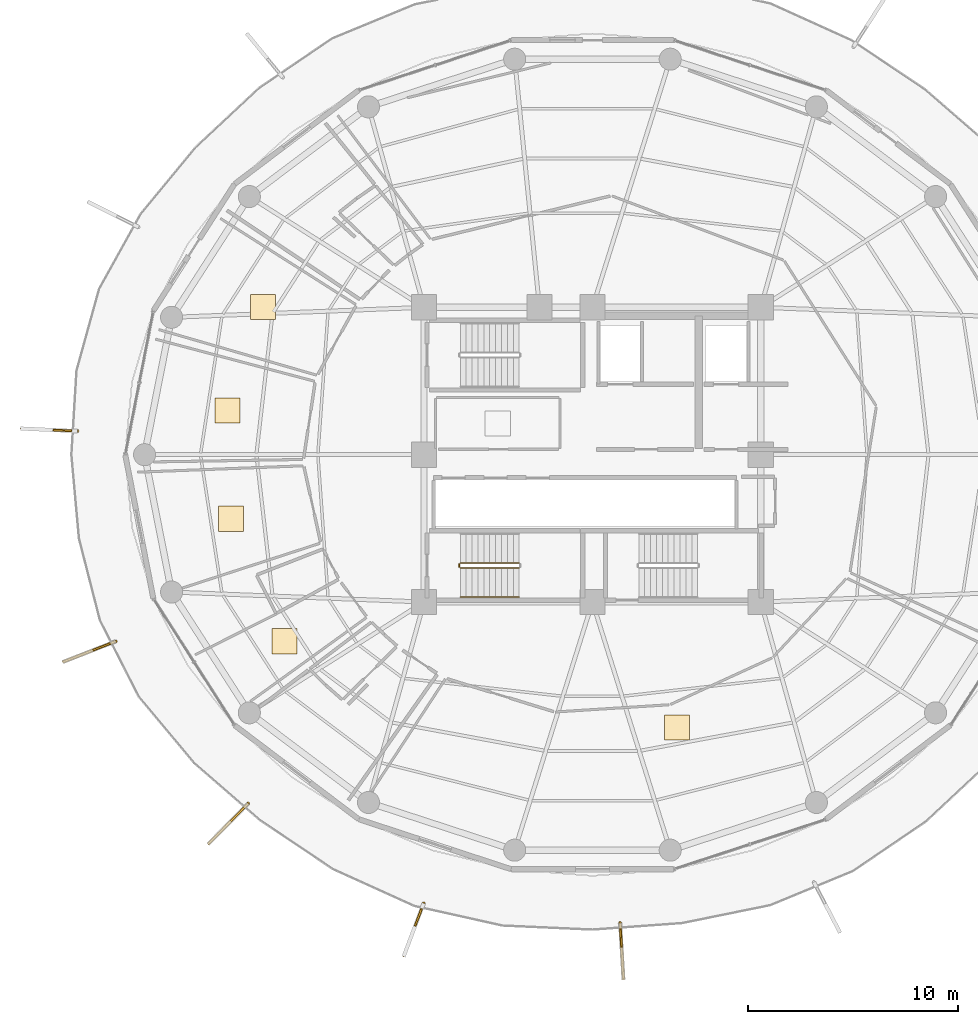
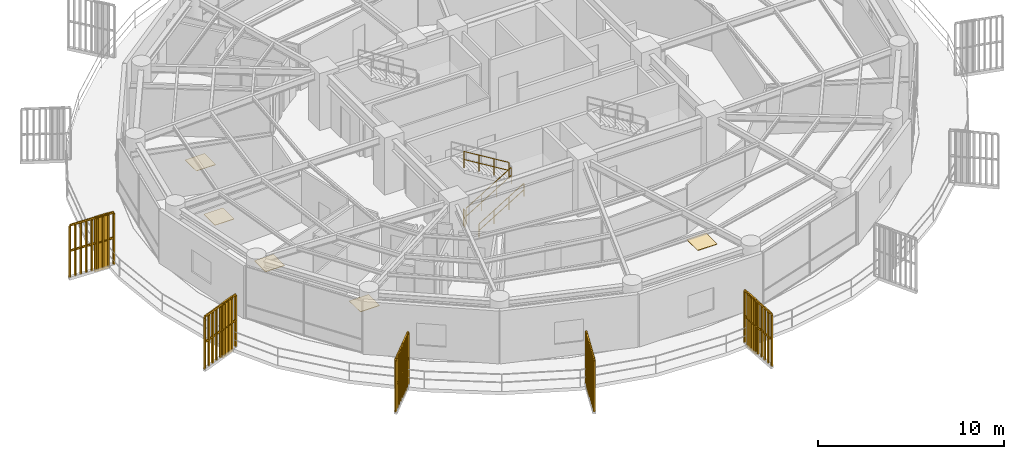
# One storey, part 27 of 30: 9 railings, 5 coverings, 5 shading devices.
"""IFC4 building model written with IfcOpenShell, lengths in metres."""

from ifc_helpers import new_model, si_unit, direction, frame, origin, origin_2d, place, context, subcontext, project, spatial, polyline, rectangle, outline, extrude, source, transform, mapped, material, layer, layer_set, type_object, element, save


model = new_model("IFC4")

# Units and contexts
model_context = context("Model", 3, precision=1e-05, world=origin(), true_north=direction((0.0, 1.0)))
body_context = subcontext(model_context, "Body", "Model", "MODEL_VIEW")
ifc_project = project(units=[si_unit("LENGTHUNIT", "METRE"), si_unit("AREAUNIT", "SQUARE_METRE"), si_unit("VOLUMEUNIT", "CUBIC_METRE"), si_unit("PLANEANGLEUNIT", "RADIAN"), si_unit("MASSUNIT", "GRAM", prefix="KILO")], contexts=[model_context])

# Site, building, storey
site_placement = place(None, origin())
site = spatial("IfcSite", under=ifc_project, at=site_placement, CompositionType="ELEMENT")
building_placement = place(site_placement, origin())
building = spatial("IfcBuilding", under=site, at=building_placement, Name="Kelanora Arch Commons", CompositionType="ELEMENT")
storey_placement = place(building_placement, frame((0.0, 0.0, 208.199951171875)))
storey = spatial("IfcBuildingStorey", under=building, at=storey_placement, Name="L53", CompositionType="ELEMENT", Elevation=208.199951171875)

# Railings
ifc_material_1 = material(Name="Anodised bronze vertical shading fin rib assembly")
railing_type_1 = type_object("IfcRailingType", Name="RAIL-FIN-BRZ", PredefinedType="BALUSTRADE", material=ifc_material_1)
railing_1_placement = place(storey_placement, frame((49.5302734375, 59.11962890625, -0.02001953125)))
element("IfcRailing", 1, at=railing_1_placement, inside=storey, type_object=railing_type_1, Name="Sweeping Bronze Vertical Fin Blade L53-09", PredefinedType="BALUSTRADE", context=body_context, shape_type="SweptSolid", body=[
    extrude(outline(polyline([(0.06982421875, 0.0), (0.034912109375, 0.060546875), (-0.034912109375, 0.060546875), (-0.06982421875, 0.0), (-0.034912109375, -0.060546875), (0.034912109375, -0.060546875), (0.06982421875, 0.0)])), frame((0.0, 0.0, 3.419921875), z_axis=(-0.998951954005, 0.045771099948, 0.0), x_axis=(-0.045771099948, -0.998951954005, 0.0)), (0.0, 0.0, 1.0), 2.65087890625),
    extrude(outline(polyline([(0.06982421875, 0.0), (0.034912109375, 0.060546875), (-0.034912109375, 0.060546875), (-0.06982421875, 0.0), (-0.034912109375, -0.060546875), (0.034912109375, -0.060546875), (0.06982421875, 0.0)])), frame((0.0, 0.0, 1.7451171875), z_axis=(-0.998951954005, 0.045771099948, 0.0), x_axis=(-0.045771099948, -0.998951954005, 0.0)), (0.0, 0.0, 1.0), 2.65087890625),
    extrude(outline(polyline([(0.080078125, 0.0), (0.0400390625, 0.0693359375), (-0.0400390625, 0.0693359375), (-0.080078125, 0.0), (-0.0400390625, -0.0693359375), (0.0400390625, -0.0693359375), (0.080078125, 0.0)])), origin(), (0.0, 0.0, 1.0), 3.35009765625),
    extrude(outline(polyline([(0.080078125, 0.0), (0.0400390625, 0.0693359375), (-0.0400390625, 0.0693359375), (-0.080078125, 0.0), (-0.0400390625, -0.0693359375), (0.0400390625, -0.0693359375), (0.080078125, 0.0)])), frame((-0.3310546875, 0.01513671875, 0.0)), (0.0, 0.0, 1.0), 3.35009765625),
    extrude(outline(polyline([(0.080078125, 0.0), (0.0400390625, 0.0693359375), (-0.0400390625, 0.0693359375), (-0.080078125, 0.0), (-0.0400390625, -0.0693359375), (0.0400390625, -0.0693359375), (0.080078125, 0.0)])), frame((-0.662109375, 0.0302734375, 0.0)), (0.0, 0.0, 1.0), 3.35009765625),
    extrude(outline(polyline([(0.080078125, 0.0), (0.0400390625, 0.0693359375), (-0.0400390625, 0.0693359375), (-0.080078125, 0.0), (-0.0400390625, -0.0693359375), (0.0400390625, -0.0693359375), (0.080078125, 0.0)])), frame((-0.9931640625, 0.04541015625, 0.0)), (0.0, 0.0, 1.0), 3.35009765625),
    extrude(outline(polyline([(0.080078125, 0.0), (0.0400390625, 0.0693359375), (-0.0400390625, 0.0693359375), (-0.080078125, 0.0), (-0.0400390625, -0.0693359375), (0.0400390625, -0.0693359375), (0.080078125, 0.0)])), frame((-1.32421875, 0.060546875, 0.0)), (0.0, 0.0, 1.0), 3.35009765625),
    extrude(outline(polyline([(0.080078125, 0.0), (0.0400390625, 0.0693359375), (-0.0400390625, 0.0693359375), (-0.080078125, 0.0), (-0.0400390625, -0.0693359375), (0.0400390625, -0.0693359375), (0.080078125, 0.0)])), frame((-1.655029296875, 0.075927734375, 0.0)), (0.0, 0.0, 1.0), 3.35009765625),
    extrude(outline(polyline([(0.080078125, 0.0), (0.0400390625, 0.0693359375), (-0.0400390625, 0.0693359375), (-0.080078125, 0.0), (-0.0400390625, -0.0693359375), (0.0400390625, -0.0693359375), (0.080078125, 0.0)])), frame((-1.986083984375, 0.091064453125, 0.0)), (0.0, 0.0, 1.0), 3.35009765625),
    extrude(outline(polyline([(0.080078125, 0.0), (0.0400390625, 0.0693359375), (-0.0400390625, 0.0693359375), (-0.080078125, 0.0), (-0.0400390625, -0.0693359375), (0.0400390625, -0.0693359375), (0.080078125, 0.0)])), frame((-2.317138671875, 0.106201171875, 0.0)), (0.0, 0.0, 1.0), 3.35009765625),
    extrude(outline(polyline([(0.080078125, 0.0), (0.0400390625, 0.0693359375), (-0.0400390625, 0.0693359375), (-0.080078125, 0.0), (-0.0400390625, -0.0693359375), (0.0400390625, -0.0693359375), (0.080078125, 0.0)])), frame((-2.648193359375, 0.121337890625, 0.0)), (0.0, 0.0, 1.0), 3.35009765625),
])
railing_2_placement = place(storey_placement, frame((51.353515625, 49.134033203125, -0.02001953125)))
element("IfcRailing", 2, at=railing_2_placement, inside=storey, type_object=railing_type_1, Name="Sweeping Bronze Vertical Fin Blade L53-10", PredefinedType="BALUSTRADE", context=body_context, shape_type="SweptSolid", body=[
    extrude(outline(polyline([(0.06982421875, 0.0), (0.034912109375, 0.060546875), (-0.034912109375, 0.060546875), (-0.06982421875, 0.0), (-0.034912109375, -0.060546875), (0.034912109375, -0.060546875), (0.06982421875, 0.0)])), frame((0.0, 0.0, 3.419921875), z_axis=(-0.931163949491, -0.364600739396, 0.0), x_axis=(0.364600739396, -0.931163949491, 0.0)), (0.0, 0.0, 1.0), 2.65087890625),
    extrude(outline(polyline([(0.06982421875, 0.0), (0.034912109375, 0.060546875), (-0.034912109375, 0.060546875), (-0.06982421875, 0.0), (-0.034912109375, -0.060546875), (0.034912109375, -0.060546875), (0.06982421875, 0.0)])), frame((0.0, 0.0, 1.7451171875), z_axis=(-0.931163949491, -0.364600739396, 0.0), x_axis=(0.364600739396, -0.931163949491, 0.0)), (0.0, 0.0, 1.0), 2.65087890625),
    extrude(outline(polyline([(0.080078125, 0.0), (0.0400390625, 0.0693359375), (-0.0400390625, 0.0693359375), (-0.080078125, 0.0), (-0.0400390625, -0.0693359375), (0.0400390625, -0.0693359375), (0.080078125, 0.0)])), origin(), (0.0, 0.0, 1.0), 3.35009765625),
    extrude(outline(polyline([(0.080078125, 0.0), (0.0400390625, 0.0693359375), (-0.0400390625, 0.0693359375), (-0.080078125, 0.0), (-0.0400390625, -0.0693359375), (0.0400390625, -0.0693359375), (0.080078125, 0.0)])), frame((-0.30859375, -0.120849609375, 0.0)), (0.0, 0.0, 1.0), 3.35009765625),
    extrude(outline(polyline([(0.080078125, 0.0), (0.0400390625, 0.0693359375), (-0.0400390625, 0.0693359375), (-0.080078125, 0.0), (-0.0400390625, -0.0693359375), (0.0400390625, -0.0693359375), (0.080078125, 0.0)])), frame((-0.6171875, -0.24169921875, 0.0)), (0.0, 0.0, 1.0), 3.35009765625),
    extrude(outline(polyline([(0.080078125, 0.0), (0.0400390625, 0.0693359375), (-0.0400390625, 0.0693359375), (-0.080078125, 0.0), (-0.0400390625, -0.0693359375), (0.0400390625, -0.0693359375), (0.080078125, 0.0)])), frame((-0.92578125, -0.362548828125, 0.0)), (0.0, 0.0, 1.0), 3.35009765625),
    extrude(outline(polyline([(0.080078125, 0.0), (0.0400390625, 0.0693359375), (-0.0400390625, 0.0693359375), (-0.080078125, 0.0), (-0.0400390625, -0.0693359375), (0.0400390625, -0.0693359375), (0.080078125, 0.0)])), frame((-1.234375, -0.4833984375, 0.0)), (0.0, 0.0, 1.0), 3.35009765625),
    extrude(outline(polyline([(0.080078125, 0.0), (0.0400390625, 0.0693359375), (-0.0400390625, 0.0693359375), (-0.080078125, 0.0), (-0.0400390625, -0.0693359375), (0.0400390625, -0.0693359375), (0.080078125, 0.0)])), frame((-1.542724609375, -0.60400390625, 0.0)), (0.0, 0.0, 1.0), 3.35009765625),
    extrude(outline(polyline([(0.080078125, 0.0), (0.0400390625, 0.0693359375), (-0.0400390625, 0.0693359375), (-0.080078125, 0.0), (-0.0400390625, -0.0693359375), (0.0400390625, -0.0693359375), (0.080078125, 0.0)])), frame((-1.851318359375, -0.724853515625, 0.0)), (0.0, 0.0, 1.0), 3.35009765625),
    extrude(outline(polyline([(0.080078125, 0.0), (0.0400390625, 0.0693359375), (-0.0400390625, 0.0693359375), (-0.080078125, 0.0), (-0.0400390625, -0.0693359375), (0.0400390625, -0.0693359375), (0.080078125, 0.0)])), frame((-2.159912109375, -0.845703125, 0.0)), (0.0, 0.0, 1.0), 3.35009765625),
    extrude(outline(polyline([(0.080078125, 0.0), (0.0400390625, 0.0693359375), (-0.0400390625, 0.0693359375), (-0.080078125, 0.0), (-0.0400390625, -0.0693359375), (0.0400390625, -0.0693359375), (0.080078125, 0.0)])), frame((-2.468505859375, -0.966552734375, 0.0)), (0.0, 0.0, 1.0), 3.35009765625),
])
railing_3_placement = place(storey_placement, frame((57.640625, 41.422119140625, -0.02001953125)))
element("IfcRailing", 3, at=railing_3_placement, inside=storey, type_object=railing_type_1, Name="Sweeping Bronze Vertical Fin Blade L53-11", PredefinedType="BALUSTRADE", context=body_context, shape_type="SweptSolid", body=[
    extrude(outline(polyline([(0.06982421875, 0.0), (0.034912109375, 0.060546875), (-0.034912109375, 0.060546875), (-0.06982421875, 0.0), (-0.034912109375, -0.060546875), (0.034912109375, -0.060546875), (0.06982421875, 0.0)])), frame((0.0, 0.0, 3.419921875), z_axis=(-0.702393816288, -0.711788540818, 0.0), x_axis=(0.711788540818, -0.702393816288, 0.0)), (0.0, 0.0, 1.0), 2.650634765625),
    extrude(outline(polyline([(0.06982421875, 0.0), (0.034912109375, 0.060546875), (-0.034912109375, 0.060546875), (-0.06982421875, 0.0), (-0.034912109375, -0.060546875), (0.034912109375, -0.060546875), (0.06982421875, 0.0)])), frame((0.0, 0.0, 1.7451171875), z_axis=(-0.702393816288, -0.711788540818, 0.0), x_axis=(0.711788540818, -0.702393816288, 0.0)), (0.0, 0.0, 1.0), 2.650634765625),
    extrude(outline(polyline([(0.080078125, 0.0), (0.0400390625, 0.0693359375), (-0.0400390625, 0.0693359375), (-0.080078125, 0.0), (-0.0400390625, -0.0693359375), (0.0400390625, -0.0693359375), (0.080078125, 0.0)])), origin(), (0.0, 0.0, 1.0), 3.35009765625),
    extrude(outline(polyline([(0.080078125, 0.0), (0.0400390625, 0.0693359375), (-0.0400390625, 0.0693359375), (-0.080078125, 0.0), (-0.0400390625, -0.0693359375), (0.0400390625, -0.0693359375), (0.080078125, 0.0)])), frame((-0.232666015625, -0.23583984375, 0.0)), (0.0, 0.0, 1.0), 3.35009765625),
    extrude(outline(polyline([(0.080078125, 0.0), (0.0400390625, 0.0693359375), (-0.0400390625, 0.0693359375), (-0.080078125, 0.0), (-0.0400390625, -0.0693359375), (0.0400390625, -0.0693359375), (0.080078125, 0.0)])), frame((-0.46533203125, -0.4716796875, 0.0)), (0.0, 0.0, 1.0), 3.35009765625),
    extrude(outline(polyline([(0.080078125, 0.0), (0.0400390625, 0.0693359375), (-0.0400390625, 0.0693359375), (-0.080078125, 0.0), (-0.0400390625, -0.0693359375), (0.0400390625, -0.0693359375), (0.080078125, 0.0)])), frame((-0.6982421875, -0.70751953125, 0.0)), (0.0, 0.0, 1.0), 3.35009765625),
    extrude(outline(polyline([(0.080078125, 0.0), (0.0400390625, 0.0693359375), (-0.0400390625, 0.0693359375), (-0.080078125, 0.0), (-0.0400390625, -0.0693359375), (0.0400390625, -0.0693359375), (0.080078125, 0.0)])), frame((-0.930908203125, -0.943359375, 0.0)), (0.0, 0.0, 1.0), 3.35009765625),
    extrude(outline(polyline([(0.080078125, 0.0), (0.0400390625, 0.0693359375), (-0.0400390625, 0.0693359375), (-0.080078125, 0.0), (-0.0400390625, -0.0693359375), (0.0400390625, -0.0693359375), (0.080078125, 0.0)])), frame((-1.16357421875, -1.17919921875, 0.0)), (0.0, 0.0, 1.0), 3.35009765625),
    extrude(outline(polyline([(0.080078125, 0.0), (0.0400390625, 0.0693359375), (-0.0400390625, 0.0693359375), (-0.080078125, 0.0), (-0.0400390625, -0.0693359375), (0.0400390625, -0.0693359375), (0.080078125, 0.0)])), frame((-1.396484375, -1.4150390625, 0.0)), (0.0, 0.0, 1.0), 3.35009765625),
    extrude(outline(polyline([(0.080078125, 0.0), (0.0400390625, 0.0693359375), (-0.0400390625, 0.0693359375), (-0.080078125, 0.0), (-0.0400390625, -0.0693359375), (0.0400390625, -0.0693359375), (0.080078125, 0.0)])), frame((-1.629150390625, -1.65087890625, 0.0)), (0.0, 0.0, 1.0), 3.35009765625),
    extrude(outline(polyline([(0.080078125, 0.0), (0.0400390625, 0.0693359375), (-0.0400390625, 0.0693359375), (-0.080078125, 0.0), (-0.0400390625, -0.0693359375), (0.0400390625, -0.0693359375), (0.080078125, 0.0)])), frame((-1.86181640625, -1.88671875, 0.0)), (0.0, 0.0, 1.0), 3.35009765625),
])
railing_4_placement = place(storey_placement, frame((65.981201171875, 36.688720703125, -0.02001953125)))
element("IfcRailing", 4, at=railing_4_placement, inside=storey, type_object=railing_type_1, Name="Sweeping Bronze Vertical Fin Blade L53-12", PredefinedType="BALUSTRADE", context=body_context, shape_type="SweptSolid", body=[
    extrude(outline(polyline([(0.06982421875, 0.0), (0.034912109375, 0.060546875), (-0.034912109375, 0.060546875), (-0.06982421875, 0.0), (-0.034912109375, -0.060546875), (0.034912109375, -0.060546875), (0.06982421875, 0.0)])), frame((0.0, 0.0, 3.419921875), z_axis=(-0.352223455855, -0.935915934871, 0.0), x_axis=(0.935915934871, -0.352223455855, 0.0)), (0.0, 0.0, 1.0), 2.650634765625),
    extrude(outline(polyline([(0.06982421875, 0.0), (0.034912109375, 0.060546875), (-0.034912109375, 0.060546875), (-0.06982421875, 0.0), (-0.034912109375, -0.060546875), (0.034912109375, -0.060546875), (0.06982421875, 0.0)])), frame((0.0, 0.0, 1.7451171875), z_axis=(-0.352223455855, -0.935915934871, 0.0), x_axis=(0.935915934871, -0.352223455855, 0.0)), (0.0, 0.0, 1.0), 2.650634765625),
    extrude(outline(polyline([(0.080078125, 0.0), (0.0400390625, 0.0693359375), (-0.0400390625, 0.0693359375), (-0.080078125, 0.0), (-0.0400390625, -0.0693359375), (0.0400390625, -0.0693359375), (0.080078125, 0.0)])), origin(), (0.0, 0.0, 1.0), 3.35009765625),
    extrude(outline(polyline([(0.080078125, 0.0), (0.0400390625, 0.0693359375), (-0.0400390625, 0.0693359375), (-0.080078125, 0.0), (-0.0400390625, -0.0693359375), (0.0400390625, -0.0693359375), (0.080078125, 0.0)])), frame((-0.11669921875, -0.31005859375, 0.0)), (0.0, 0.0, 1.0), 3.35009765625),
    extrude(outline(polyline([(0.080078125, 0.0), (0.0400390625, 0.0693359375), (-0.0400390625, 0.0693359375), (-0.080078125, 0.0), (-0.0400390625, -0.0693359375), (0.0400390625, -0.0693359375), (0.080078125, 0.0)])), frame((-0.2333984375, -0.6201171875, 0.0)), (0.0, 0.0, 1.0), 3.35009765625),
    extrude(outline(polyline([(0.080078125, 0.0), (0.0400390625, 0.0693359375), (-0.0400390625, 0.0693359375), (-0.080078125, 0.0), (-0.0400390625, -0.0693359375), (0.0400390625, -0.0693359375), (0.080078125, 0.0)])), frame((-0.35009765625, -0.93017578125, 0.0)), (0.0, 0.0, 1.0), 3.35009765625),
    extrude(outline(polyline([(0.080078125, 0.0), (0.0400390625, 0.0693359375), (-0.0400390625, 0.0693359375), (-0.080078125, 0.0), (-0.0400390625, -0.0693359375), (0.0400390625, -0.0693359375), (0.080078125, 0.0)])), frame((-0.466796875, -1.240234375, 0.0)), (0.0, 0.0, 1.0), 3.35009765625),
    extrude(outline(polyline([(0.080078125, 0.0), (0.0400390625, 0.0693359375), (-0.0400390625, 0.0693359375), (-0.080078125, 0.0), (-0.0400390625, -0.0693359375), (0.0400390625, -0.0693359375), (0.080078125, 0.0)])), frame((-0.58349609375, -1.550537109375, 0.0)), (0.0, 0.0, 1.0), 3.35009765625),
    extrude(outline(polyline([(0.080078125, 0.0), (0.0400390625, 0.0693359375), (-0.0400390625, 0.0693359375), (-0.080078125, 0.0), (-0.0400390625, -0.0693359375), (0.0400390625, -0.0693359375), (0.080078125, 0.0)])), frame((-0.7001953125, -1.860595703125, 0.0)), (0.0, 0.0, 1.0), 3.35009765625),
    extrude(outline(polyline([(0.080078125, 0.0), (0.0400390625, 0.0693359375), (-0.0400390625, 0.0693359375), (-0.080078125, 0.0), (-0.0400390625, -0.0693359375), (0.0400390625, -0.0693359375), (0.080078125, 0.0)])), frame((-0.81689453125, -2.170654296875, 0.0)), (0.0, 0.0, 1.0), 3.35009765625),
    extrude(outline(polyline([(0.080078125, 0.0), (0.0400390625, 0.0693359375), (-0.0400390625, 0.0693359375), (-0.080078125, 0.0), (-0.0400390625, -0.0693359375), (0.0400390625, -0.0693359375), (0.080078125, 0.0)])), frame((-0.93359375, -2.480712890625, 0.0)), (0.0, 0.0, 1.0), 3.35009765625),
])
railing_5_placement = place(storey_placement, frame((75.313720703125, 35.757568359375, -0.02001953125)))
element("IfcRailing", 5, at=railing_5_placement, inside=storey, type_object=railing_type_1, Name="Sweeping Bronze Vertical Fin Blade L53-13", PredefinedType="BALUSTRADE", context=body_context, shape_type="SweptSolid", body=[
    extrude(outline(polyline([(0.06982421875, 0.0), (0.034912109375, 0.060546875), (-0.034912109375, 0.060546875), (-0.06982421875, 0.0), (-0.034912109375, -0.060546875), (0.034912109375, -0.060546875), (0.06982421875, 0.0)])), frame((0.0, 0.0, 3.419921875), z_axis=(0.05894337575, -0.998261327737, 0.0), x_axis=(0.998261327737, 0.05894337575, 0.0)), (0.0, 0.0, 1.0), 2.65087890625),
    extrude(outline(polyline([(0.06982421875, 0.0), (0.034912109375, 0.060546875), (-0.034912109375, 0.060546875), (-0.06982421875, 0.0), (-0.034912109375, -0.060546875), (0.034912109375, -0.060546875), (0.06982421875, 0.0)])), frame((0.0, 0.0, 1.7451171875), z_axis=(0.05894337575, -0.998261327737, 0.0), x_axis=(0.998261327737, 0.05894337575, 0.0)), (0.0, 0.0, 1.0), 2.65087890625),
    extrude(outline(polyline([(0.080078125, 0.0), (0.0400390625, 0.0693359375), (-0.0400390625, 0.0693359375), (-0.080078125, 0.0), (-0.0400390625, -0.0693359375), (0.0400390625, -0.0693359375), (0.080078125, 0.0)])), origin(), (0.0, 0.0, 1.0), 3.35009765625),
    extrude(outline(polyline([(0.080078125, 0.0), (0.0400390625, 0.0693359375), (-0.0400390625, 0.0693359375), (-0.080078125, 0.0), (-0.0400390625, -0.0693359375), (0.0400390625, -0.0693359375), (0.080078125, 0.0)])), frame((0.01953125, -0.330810546875, 0.0)), (0.0, 0.0, 1.0), 3.35009765625),
    extrude(outline(polyline([(0.080078125, 0.0), (0.0400390625, 0.0693359375), (-0.0400390625, 0.0693359375), (-0.080078125, 0.0), (-0.0400390625, -0.0693359375), (0.0400390625, -0.0693359375), (0.080078125, 0.0)])), frame((0.0390625, -0.66162109375, 0.0)), (0.0, 0.0, 1.0), 3.35009765625),
    extrude(outline(polyline([(0.080078125, 0.0), (0.0400390625, 0.0693359375), (-0.0400390625, 0.0693359375), (-0.080078125, 0.0), (-0.0400390625, -0.0693359375), (0.0400390625, -0.0693359375), (0.080078125, 0.0)])), frame((0.05859375, -0.992431640625, 0.0)), (0.0, 0.0, 1.0), 3.35009765625),
    extrude(outline(polyline([(0.080078125, 0.0), (0.0400390625, 0.0693359375), (-0.0400390625, 0.0693359375), (-0.080078125, 0.0), (-0.0400390625, -0.0693359375), (0.0400390625, -0.0693359375), (0.080078125, 0.0)])), frame((0.078125, -1.3232421875, 0.0)), (0.0, 0.0, 1.0), 3.35009765625),
    extrude(outline(polyline([(0.080078125, 0.0), (0.0400390625, 0.0693359375), (-0.0400390625, 0.0693359375), (-0.080078125, 0.0), (-0.0400390625, -0.0693359375), (0.0400390625, -0.0693359375), (0.080078125, 0.0)])), frame((0.09765625, -1.65380859375, 0.0)), (0.0, 0.0, 1.0), 3.35009765625),
    extrude(outline(polyline([(0.080078125, 0.0), (0.0400390625, 0.0693359375), (-0.0400390625, 0.0693359375), (-0.080078125, 0.0), (-0.0400390625, -0.0693359375), (0.0400390625, -0.0693359375), (0.080078125, 0.0)])), frame((0.1171875, -1.984619140625, 0.0)), (0.0, 0.0, 1.0), 3.35009765625),
    extrude(outline(polyline([(0.080078125, 0.0), (0.0400390625, 0.0693359375), (-0.0400390625, 0.0693359375), (-0.080078125, 0.0), (-0.0400390625, -0.0693359375), (0.0400390625, -0.0693359375), (0.080078125, 0.0)])), frame((0.13671875, -2.3154296875, 0.0)), (0.0, 0.0, 1.0), 3.35009765625),
    extrude(outline(polyline([(0.080078125, 0.0), (0.0400390625, 0.0693359375), (-0.0400390625, 0.0693359375), (-0.080078125, 0.0), (-0.0400390625, -0.0693359375), (0.0400390625, -0.0693359375), (0.080078125, 0.0)])), frame((0.15625, -2.646240234375, 0.0)), (0.0, 0.0, 1.0), 3.35009765625),
])
ifc_material_2 = material(Name="Painted steel stair well guard", Category="steel")
railing_type_2 = type_object("IfcRailingType", Name="RAIL-STAIR-GRD", PredefinedType="GUARDRAIL", material=ifc_material_2)
railing_6_placement = place(storey_placement, frame((67.719970703125, 52.610107421875, 0.17041015625)))
element("IfcRailing", 6, at=railing_6_placement, inside=storey, type_object=railing_type_2, Name="L53 ST-T3 stair guard 1", PredefinedType="GUARDRAIL", context=body_context, shape_type="SweptSolid", body=[
    extrude(outline(polyline([(0.02392578125, 0.0), (0.011962890625, 0.020751953125), (-0.011962890625, 0.020751953125), (-0.02392578125, 0.0), (-0.011962890625, -0.020751953125), (0.011962890625, -0.020751953125), (0.02392578125, 0.0)])), frame((0.0, 0.0, 1.076171875), z_axis=(0.854169791009, 0.0, 0.51999420009), x_axis=(0.0, 1.0, 0.0)), (0.0, 0.0, 1.0), 3.278076171875),
    extrude(outline(polyline([(0.02392578125, 0.0), (0.011962890625, 0.020751953125), (-0.011962890625, 0.020751953125), (-0.02392578125, 0.0), (-0.011962890625, -0.020751953125), (0.011962890625, -0.020751953125), (0.02392578125, 0.0)])), frame((0.0, 0.0, 0.550048828125), z_axis=(0.854169791009, 0.0, 0.51999420009), x_axis=(0.0, 1.0, 0.0)), (0.0, 0.0, 1.0), 3.278076171875),
    extrude(outline(polyline([(0.02099609375, 0.0), (0.010498046875, 0.01806640625), (-0.010498046875, 0.01806640625), (-0.02099609375, 0.0), (-0.010498046875, -0.01806640625), (0.010498046875, -0.01806640625), (0.02099609375, 0.0)])), origin(), (0.0, 0.0, 1.0), 1.052001953125),
    extrude(outline(polyline([(0.02099609375, 0.0), (0.010498046875, 0.01806640625), (-0.010498046875, 0.01806640625), (-0.02099609375, 0.0), (-0.010498046875, -0.01806640625), (0.010498046875, -0.01806640625), (0.02099609375, 0.0)])), frame((0.933349609375, 0.0, 0.568115234375)), (0.0, 0.0, 1.0), 1.052001953125),
    extrude(outline(polyline([(0.02099609375, 0.0), (0.010498046875, 0.01806640625), (-0.010498046875, 0.01806640625), (-0.02099609375, 0.0), (-0.010498046875, -0.01806640625), (0.010498046875, -0.01806640625), (0.02099609375, 0.0)])), frame((1.86669921875, 0.0, 1.136474609375)), (0.0, 0.0, 1.0), 1.052001953125),
    extrude(outline(polyline([(0.02099609375, 0.0), (0.010498046875, 0.01806640625), (-0.010498046875, 0.01806640625), (-0.02099609375, 0.0), (-0.010498046875, -0.01806640625), (0.010498046875, -0.01806640625), (0.02099609375, 0.0)])), frame((2.800048828125, 0.0, 1.70458984375)), (0.0, 0.0, 1.0), 1.052001953125),
])
railing_7_placement = place(storey_placement, frame((70.52001953125, 52.860107421875, 2.04541015625)))
element("IfcRailing", 7, at=railing_7_placement, inside=storey, type_object=railing_type_2, Name="L53 ST-T3 stair guard 3", PredefinedType="GUARDRAIL", context=body_context, shape_type="SweptSolid", body=[
    extrude(outline(polyline([(0.02392578125, 0.0), (0.011962890625, 0.020751953125), (-0.011962890625, 0.020751953125), (-0.02392578125, 0.0), (-0.011962890625, -0.020751953125), (0.011962890625, -0.020751953125), (0.02392578125, 0.0)])), frame((0.0, 0.0, 1.076171875), z_axis=(-0.854169791009, 0.0, 0.51999420009), x_axis=(0.0, -1.0, 0.0)), (0.0, 0.0, 1.0), 3.278076171875),
    extrude(outline(polyline([(0.02392578125, 0.0), (0.011962890625, 0.020751953125), (-0.011962890625, 0.020751953125), (-0.02392578125, 0.0), (-0.011962890625, -0.020751953125), (0.011962890625, -0.020751953125), (0.02392578125, 0.0)])), frame((0.0, 0.0, 0.550048828125), z_axis=(-0.854169791009, 0.0, 0.51999420009), x_axis=(0.0, -1.0, 0.0)), (0.0, 0.0, 1.0), 3.278076171875),
    extrude(outline(polyline([(0.02099609375, 0.0), (0.010498046875, 0.01806640625), (-0.010498046875, 0.01806640625), (-0.02099609375, 0.0), (-0.010498046875, -0.01806640625), (0.010498046875, -0.01806640625), (0.02099609375, 0.0)])), origin(), (0.0, 0.0, 1.0), 1.052001953125),
    extrude(outline(polyline([(0.02099609375, 0.0), (0.010498046875, 0.01806640625), (-0.010498046875, 0.01806640625), (-0.02099609375, 0.0), (-0.010498046875, -0.01806640625), (0.010498046875, -0.01806640625), (0.02099609375, 0.0)])), frame((-0.933349609375, 0.0, 0.568115234375)), (0.0, 0.0, 1.0), 1.052001953125),
    extrude(outline(polyline([(0.02099609375, 0.0), (0.010498046875, 0.01806640625), (-0.010498046875, 0.01806640625), (-0.02099609375, 0.0), (-0.010498046875, -0.01806640625), (0.010498046875, -0.01806640625), (0.02099609375, 0.0)])), frame((-1.86669921875, 0.0, 1.136474609375)), (0.0, 0.0, 1.0), 1.052001953125),
    extrude(outline(polyline([(0.02099609375, 0.0), (0.010498046875, 0.01806640625), (-0.010498046875, 0.01806640625), (-0.02099609375, 0.0), (-0.010498046875, -0.01806640625), (0.010498046875, -0.01806640625), (0.02099609375, 0.0)])), frame((-2.800048828125, 0.0, 1.70458984375)), (0.0, 0.0, 1.0), 1.052001953125),
])
railing_8_placement = place(storey_placement, frame((67.669921875, 52.659912109375, 0.0)))
element("IfcRailing", 8, at=railing_8_placement, inside=storey, type_object=railing_type_2, Name="L53 ST-T3 stair guard 4", PredefinedType="GUARDRAIL", context=body_context, shape_type="SweptSolid", body=[
    extrude(outline(polyline([(0.02392578125, 0.0), (0.011962890625, 0.020751953125), (-0.011962890625, 0.020751953125), (-0.02392578125, 0.0), (-0.011962890625, -0.020751953125), (0.011962890625, -0.020751953125), (0.02392578125, 0.0)])), frame((0.0, 0.0, 1.076171875), z_axis=(0.0, 1.0, 0.0), x_axis=(-1.0, 0.0, 0.0)), (0.0, 0.0, 1.0), 0.150146484375),
    extrude(outline(polyline([(0.02392578125, 0.0), (0.011962890625, 0.020751953125), (-0.011962890625, 0.020751953125), (-0.02392578125, 0.0), (-0.011962890625, -0.020751953125), (0.011962890625, -0.020751953125), (0.02392578125, 0.0)])), frame((0.0, 0.0, 0.550048828125), z_axis=(0.0, 1.0, 0.0), x_axis=(-1.0, 0.0, 0.0)), (0.0, 0.0, 1.0), 0.150146484375),
    extrude(outline(polyline([(0.02099609375, 0.0), (0.010498046875, 0.01806640625), (-0.010498046875, 0.01806640625), (-0.02099609375, 0.0), (-0.010498046875, -0.01806640625), (0.010498046875, -0.01806640625), (0.02099609375, 0.0)])), origin(), (0.0, 0.0, 1.0), 1.052001953125),
    extrude(outline(polyline([(0.02099609375, 0.0), (0.010498046875, 0.01806640625), (-0.010498046875, 0.01806640625), (-0.02099609375, 0.0), (-0.010498046875, -0.01806640625), (0.010498046875, -0.01806640625), (0.02099609375, 0.0)])), frame((0.0, 0.150146484375, 0.0)), (0.0, 0.0, 1.0), 1.052001953125),
])
ifc_material_3 = material(Name="Brushed stainless steel stair handrail", Category="steel")
railing_type_3 = type_object("IfcRailingType", Name="RAIL-STAIR-HND", PredefinedType="HANDRAIL", material=ifc_material_3)
railing_9_placement = place(storey_placement, frame((67.719970703125, 51.22998046875, 0.17041015625)))
element("IfcRailing", 9, at=railing_9_placement, inside=storey, type_object=railing_type_3, Name="L53 ST-T3 stair handrail 1", PredefinedType="HANDRAIL", context=body_context, shape_type="SweptSolid", body=[
    extrude(outline(polyline([(0.02392578125, 0.0), (0.011962890625, 0.020751953125), (-0.011962890625, 0.020751953125), (-0.02392578125, 0.0), (-0.011962890625, -0.020751953125), (0.011962890625, -0.020751953125), (0.02392578125, 0.0)])), frame((0.0, 0.0, 0.8759765625), z_axis=(0.854169791009, 0.0, 0.51999420009), x_axis=(0.0, 1.0, 0.0)), (0.0, 0.0, 1.0), 3.278076171875),
    extrude(outline(polyline([(0.02392578125, 0.0), (0.011962890625, 0.020751953125), (-0.011962890625, 0.020751953125), (-0.02392578125, 0.0), (-0.011962890625, -0.020751953125), (0.011962890625, -0.020751953125), (0.02392578125, 0.0)])), frame((0.0, 0.0, 0.449951171875), z_axis=(0.854169791009, 0.0, 0.51999420009), x_axis=(0.0, 1.0, 0.0)), (0.0, 0.0, 1.0), 3.278076171875),
    extrude(outline(polyline([(0.02099609375, 0.0), (0.010498046875, 0.01806640625), (-0.010498046875, 0.01806640625), (-0.02099609375, 0.0), (-0.010498046875, -0.01806640625), (0.010498046875, -0.01806640625), (0.02099609375, 0.0)])), origin(), (0.0, 0.0, 1.0), 0.851806640625),
    extrude(outline(polyline([(0.02099609375, 0.0), (0.010498046875, 0.01806640625), (-0.010498046875, 0.01806640625), (-0.02099609375, 0.0), (-0.010498046875, -0.01806640625), (0.010498046875, -0.01806640625), (0.02099609375, 0.0)])), frame((0.933349609375, 0.0, 0.568115234375)), (0.0, 0.0, 1.0), 0.851806640625),
    extrude(outline(polyline([(0.02099609375, 0.0), (0.010498046875, 0.01806640625), (-0.010498046875, 0.01806640625), (-0.02099609375, 0.0), (-0.010498046875, -0.01806640625), (0.010498046875, -0.01806640625), (0.02099609375, 0.0)])), frame((1.86669921875, 0.0, 1.136474609375)), (0.0, 0.0, 1.0), 0.851806640625),
    extrude(outline(polyline([(0.02099609375, 0.0), (0.010498046875, 0.01806640625), (-0.010498046875, 0.01806640625), (-0.02099609375, 0.0), (-0.010498046875, -0.01806640625), (0.010498046875, -0.01806640625), (0.02099609375, 0.0)])), frame((2.800048828125, 0.0, 1.70458984375)), (0.0, 0.0, 1.0), 0.851806640625),
])

# Shading devices
ifc_material_4 = material(Name="Terracotta ceramic-clad extruded aluminium fin", Category="masonry")
shading_device_type = type_object("IfcShadingDeviceType", Name="SHD-FIN-FLARE", PredefinedType="USERDEFINED", material=ifc_material_4)
shared_shape_1 = source(origin(), body_context, "Body", "SweptSolid", [
    extrude(rectangle(XDim=0.8798828125, YDim=0.090087890625, at=origin_2d()), origin(), (0.0, 0.0, 1.0), 3.610107421875),
])
for number, where, z_axis, x_axis, name in (
    (10, (48.81103515625, 59.152587890625, -0.14013671875), (0.0, 0.0, 1.0), (-0.99895467426, 0.04571169187, 0.0), "Sweeping Terracotta Fin L53-09"),
    (11, (50.682861328125, 48.87158203125, -0.14013671875), (0.0, 0.0, 1.0), (-0.931183125162, -0.364551762325, 0.0), "Sweeping Terracotta Fin L53-10"),
    (12, (57.135009765625, 40.90966796875, -0.14013671875), (0.0, 0.0, 1.0), (-0.70240155419, -0.711780904964, 0.0), "Sweeping Terracotta Fin L53-11"),
    (13, (65.7275390625, 36.014892578125, -0.14013671875), (0.0, 0.0, 1.0), (-0.352168373381, -0.935936662809, 0.0), "Sweeping Terracotta Fin L53-12"),
    (14, (75.356201171875, 35.038818359375, -0.14013671875), (0.0, 0.0, 1.0), (0.058957918535, -0.998260468937, 0.0), "Sweeping Terracotta Fin L53-13"),
):
    element("IfcShadingDevice", number, at=place(storey_placement, frame(where, z_axis=z_axis, x_axis=x_axis)), inside=storey, type_object=shading_device_type, Name=name, ObjectType="FIN", PredefinedType="USERDEFINED", context=body_context, shape_type="MappedRepresentation", body=[
        mapped(shared_shape_1, transform((0.0, 0.0, 0.0), scale=1.0)),
    ])

# Coverings
ifc_material_5 = material(Name="Polished local granite terrazzo flooring", Category="masonry")
ifc_layer = layer(ifc_material_5, 0.030029296875)
ifc_layer_set = layer_set([ifc_layer], Name="Polished local granite terrazzo flooring")
covering_type = type_object("IfcCoveringType", Name="COV-FLR-TER", PredefinedType="FLOORING", material=ifc_layer_set)
shared_shape_2 = source(origin(), body_context, "Body", "SweptSolid", [
    extrude(rectangle(XDim=1.199951171875, YDim=1.199951171875, at=origin_2d()), origin(), (0.0, 0.0, 1.0), 0.030029296875),
])
for number, where, z_axis, x_axis, name in (
    (15, (78.014404296875, 45.040771484375, 0.0), (0.0, 0.0, 1.0), (1.0, 0.0, 0.0), "South-East Shared Study Commons L53 Terrazzo Finish"),
    (16, (58.342041015625, 65.020751953125, 0.0), (0.0, 0.0, 1.0), (1.0, 0.0, 0.0), "Shared Cluster Kitchen L53-02 Terrazzo Finish"),
    (17, (56.65673828125, 60.099609375, 0.0), (0.0, 0.0, 1.0), (1.0, 0.0, 0.0), "Quiet Seminar Study Room L53-03 Terrazzo Finish"),
    (18, (56.83203125, 54.952880859375, 0.0), (0.0, 0.0, 1.0), (1.0, 0.0, 0.0), "Social Sky Lounge L53-04 Terrazzo Finish"),
    (19, (59.374267578125, 49.133056640625, 0.0), (0.0, 0.0, 1.0), (1.0, 0.0, 0.0), "Tutorial Study Alcove L53-05 Terrazzo Finish"),
):
    element("IfcCovering", number, at=place(storey_placement, frame(where, z_axis=z_axis, x_axis=x_axis)), inside=storey, type_object=covering_type, Name=name, PredefinedType="FLOORING", context=body_context, shape_type="MappedRepresentation", body=[
        mapped(shared_shape_2, transform((0.0, 0.0, 0.0), scale=1.0)),
    ])

save(model, "model.ifc")
